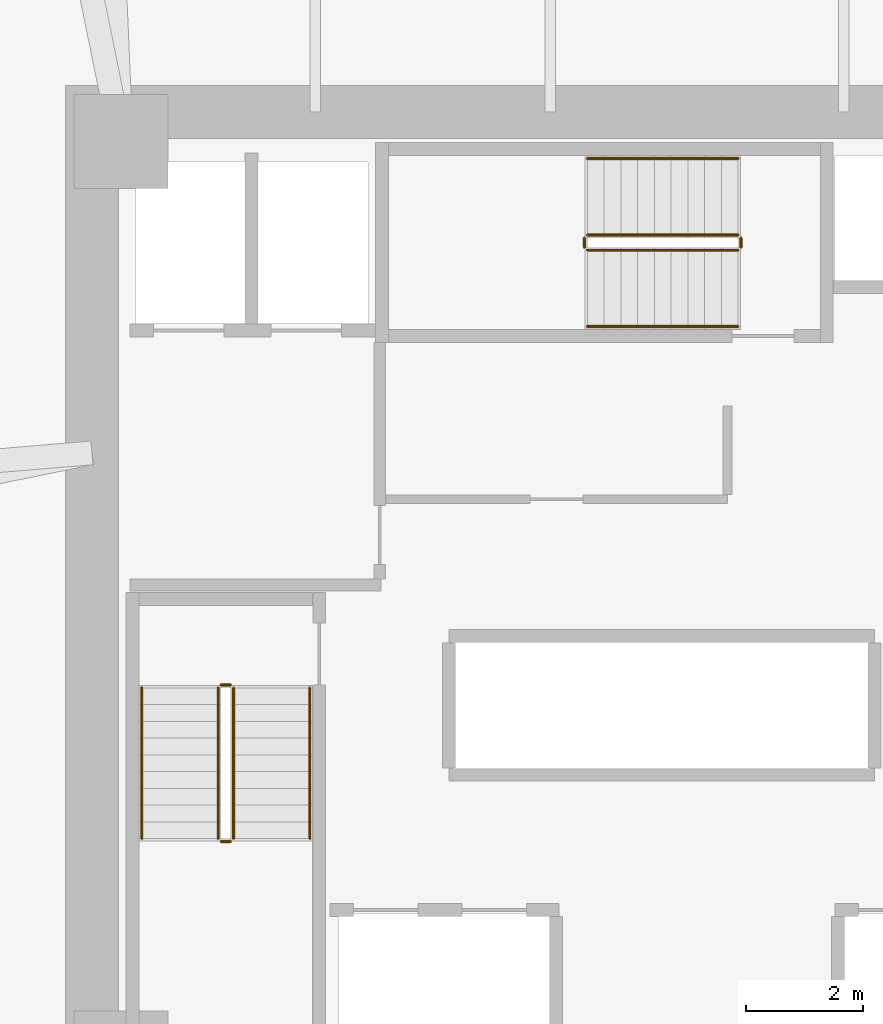
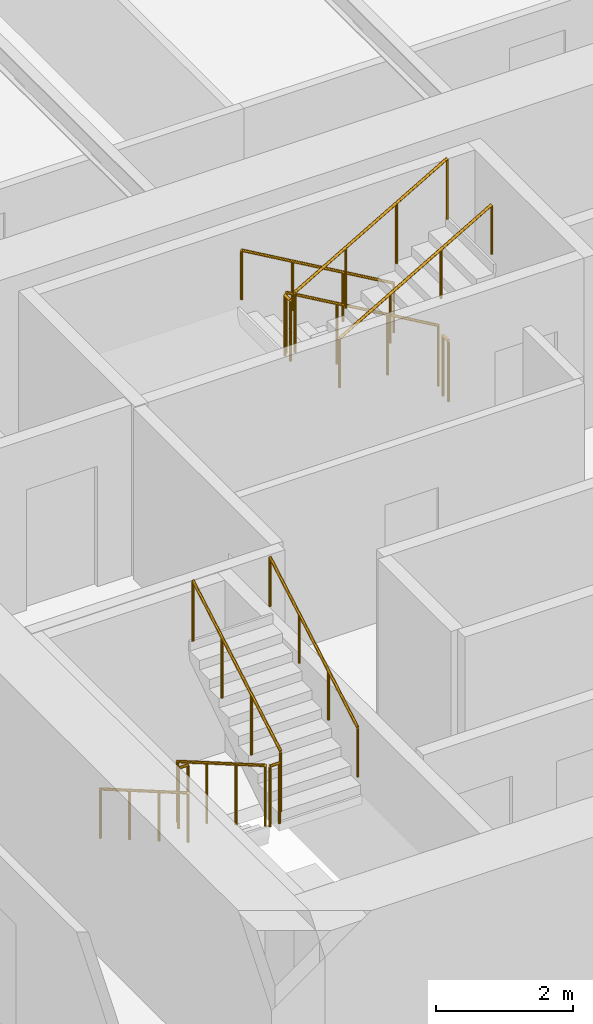
# One storey, part 18 of 20: 12 railings.
"""IFC4 building model written with IfcOpenShell, lengths in metres."""

from ifc_helpers import new_model, si_unit, direction, frame, origin, origin_2d, place, context, subcontext, project, spatial, circle, extrude, material, type_object, element, save


model = new_model("IFC4")

# Units and contexts
model_context = context("Model", 3, precision=1e-05, world=origin(), true_north=direction((0.0, 1.0)))
body_context = subcontext(model_context, "Body", "Model", "MODEL_VIEW")
ifc_project = project(units=[si_unit("LENGTHUNIT", "METRE"), si_unit("AREAUNIT", "SQUARE_METRE"), si_unit("VOLUMEUNIT", "CUBIC_METRE"), si_unit("PLANEANGLEUNIT", "RADIAN"), si_unit("MASSUNIT", "GRAM", prefix="KILO")], contexts=[model_context])

# Site, building, storey
site_placement = place(None, origin())
site = spatial("IfcSite", under=ifc_project, at=site_placement, CompositionType="ELEMENT")
building_placement = place(site_placement, origin())
building = spatial("IfcBuilding", under=site, at=building_placement, Name="Durnholm Broadcast Tower", CompositionType="ELEMENT")
storey_placement = place(building_placement, frame((0.0, 0.0, 32.39990234375)))
storey = spatial("IfcBuildingStorey", under=building, at=storey_placement, Name="L06", CompositionType="ELEMENT", Elevation=32.39990234375)

# Railings
ifc_material_1 = material(Name="Painted Tubular Steel Stair Guardrail", Category="steel")
railing_type_1 = type_object("IfcRailingType", Name="RAIL-ST-GRD", PredefinedType="GUARDRAIL", material=ifc_material_1)
railing_1_placement = place(storey_placement, frame((-8.14990234375, -1.5, 0.1650390625)))
element("IfcRailing", 1, at=railing_1_placement, inside=storey, type_object=railing_type_1, Name="L06 ST-1 stair guard 1", PredefinedType="GUARDRAIL", context=body_context, shape_type="SweptSolid", body=[
    extrude(circle(Radius=0.02392578125, at=origin_2d()), frame((0.0, 0.0, 1.076171875), z_axis=(0.0, -0.865405606168, 0.501071987656), x_axis=(1.0, 0.0, 0.0)), (0.0, 0.0, 1.0), 2.9638671875),
    extrude(circle(Radius=0.02099609375, at=origin_2d()), origin(), (0.0, 0.0, 1.0), 1.052001953125),
    extrude(circle(Radius=0.02099609375, at=origin_2d()), frame((0.0, -0.85498046875, 0.4951171875)), (0.0, 0.0, 1.0), 1.052001953125),
    extrude(circle(Radius=0.02099609375, at=origin_2d()), frame((0.0, -1.7099609375, 0.989990234375)), (0.0, 0.0, 1.0), 1.052001953125),
    extrude(circle(Radius=0.02099609375, at=origin_2d()), frame((0.0, -2.56494140625, 1.485107421875)), (0.0, 0.0, 1.0), 1.052001953125),
])
railing_2_placement = place(storey_placement, frame((-8.10009765625, -4.114990234375, 1.650146484375)))
element("IfcRailing", 2, at=railing_2_placement, inside=storey, type_object=railing_type_1, Name="L06 ST-1 stair guard 2", PredefinedType="GUARDRAIL", context=body_context, shape_type="SweptSolid", body=[
    extrude(circle(Radius=0.02392578125, at=origin_2d()), frame((0.0, 0.0, 1.076171875), z_axis=(1.0, 0.0, 0.0), x_axis=(0.0, 1.0, 0.0)), (0.0, 0.0, 1.0), 0.16015625),
    extrude(circle(Radius=0.02099609375, at=origin_2d()), origin(), (0.0, 0.0, 1.0), 1.052001953125),
    extrude(circle(Radius=0.02099609375, at=origin_2d()), frame((0.16015625, 0.0, 0.0)), (0.0, 0.0, 1.0), 1.052001953125),
])
railing_3_placement = place(storey_placement, frame((-7.889892578125, -4.06494140625, 1.815185546875)))
element("IfcRailing", 3, at=railing_3_placement, inside=storey, type_object=railing_type_1, Name="L06 ST-1 stair guard 3", PredefinedType="GUARDRAIL", context=body_context, shape_type="SweptSolid", body=[
    extrude(circle(Radius=0.02392578125, at=origin_2d()), frame((0.0, 0.0, 1.076171875), z_axis=(0.0, 0.865441324677, 0.50101029285), x_axis=(-1.0, 0.0, 0.0)), (0.0, 0.0, 1.0), 2.963623046875),
    extrude(circle(Radius=0.02099609375, at=origin_2d()), origin(), (0.0, 0.0, 1.0), 1.052001953125),
    extrude(circle(Radius=0.02099609375, at=origin_2d()), frame((0.0, 0.85498046875, 0.494873046875)), (0.0, 0.0, 1.0), 1.052001953125),
    extrude(circle(Radius=0.02099609375, at=origin_2d()), frame((0.0, 1.7099609375, 0.989990234375)), (0.0, 0.0, 1.0), 1.052001953125),
    extrude(circle(Radius=0.02099609375, at=origin_2d()), frame((0.0, 2.56494140625, 1.48486328125)), (0.0, 0.0, 1.0), 1.052001953125),
])
railing_4_placement = place(storey_placement, frame((-8.10009765625, -1.449951171875, 0.0)))
element("IfcRailing", 4, at=railing_4_placement, inside=storey, type_object=railing_type_1, Name="L06 ST-1 stair guard 4", PredefinedType="GUARDRAIL", context=body_context, shape_type="SweptSolid", body=[
    extrude(circle(Radius=0.02392578125, at=origin_2d()), frame((0.0, 0.0, 1.076171875), z_axis=(1.0, 0.0, 0.0), x_axis=(0.0, 1.0, 0.0)), (0.0, 0.0, 1.0), 0.16015625),
    extrude(circle(Radius=0.02099609375, at=origin_2d()), origin(), (0.0, 0.0, 1.0), 1.052001953125),
    extrude(circle(Radius=0.02099609375, at=origin_2d()), frame((0.16015625, 0.0, 0.0)), (0.0, 0.0, 1.0), 1.052001953125),
])
railing_5_placement = place(storey_placement, frame((0.699951171875, 6.2099609375, 0.1650390625)))
element("IfcRailing", 5, at=railing_5_placement, inside=storey, type_object=railing_type_1, Name="L06 ST-3 stair guard 1", PredefinedType="GUARDRAIL", context=body_context, shape_type="SweptSolid", body=[
    extrude(circle(Radius=0.02392578125, at=origin_2d()), frame((0.0, 0.0, 1.076171875), z_axis=(-0.865405606168, 0.0, 0.501071987656), x_axis=(0.0, -1.0, 0.0)), (0.0, 0.0, 1.0), 2.9638671875),
    extrude(circle(Radius=0.02099609375, at=origin_2d()), origin(), (0.0, 0.0, 1.0), 1.052001953125),
    extrude(circle(Radius=0.02099609375, at=origin_2d()), frame((-0.85498046875, 0.0, 0.4951171875)), (0.0, 0.0, 1.0), 1.052001953125),
    extrude(circle(Radius=0.02099609375, at=origin_2d()), frame((-1.7099609375, 0.0, 0.989990234375)), (0.0, 0.0, 1.0), 1.052001953125),
    extrude(circle(Radius=0.02099609375, at=origin_2d()), frame((-2.56494140625, 0.0, 1.485107421875)), (0.0, 0.0, 1.0), 1.052001953125),
])
railing_6_placement = place(storey_placement, frame((-1.9150390625, 6.159912109375, 1.650146484375)))
element("IfcRailing", 6, at=railing_6_placement, inside=storey, type_object=railing_type_1, Name="L06 ST-3 stair guard 2", PredefinedType="GUARDRAIL", context=body_context, shape_type="SweptSolid", body=[
    extrude(circle(Radius=0.02392578125, at=origin_2d()), frame((0.0, 0.0, 1.076171875), z_axis=(0.0, -1.0, 0.0), x_axis=(1.0, 0.0, 0.0)), (0.0, 0.0, 1.0), 0.159912109375),
    extrude(circle(Radius=0.02099609375, at=origin_2d()), origin(), (0.0, 0.0, 1.0), 1.052001953125),
    extrude(circle(Radius=0.02099609375, at=origin_2d()), frame((0.0, -0.159912109375, 0.0)), (0.0, 0.0, 1.0), 1.052001953125),
])
railing_7_placement = place(storey_placement, frame((-1.864990234375, 5.949951171875, 1.815185546875)))
element("IfcRailing", 7, at=railing_7_placement, inside=storey, type_object=railing_type_1, Name="L06 ST-3 stair guard 3", PredefinedType="GUARDRAIL", context=body_context, shape_type="SweptSolid", body=[
    extrude(circle(Radius=0.02392578125, at=origin_2d()), frame((0.0, 0.0, 1.076171875), z_axis=(0.865441324677, 0.0, 0.50101029285), x_axis=(0.0, 1.0, 0.0)), (0.0, 0.0, 1.0), 2.963623046875),
    extrude(circle(Radius=0.02099609375, at=origin_2d()), origin(), (0.0, 0.0, 1.0), 1.052001953125),
    extrude(circle(Radius=0.02099609375, at=origin_2d()), frame((0.85498046875, 0.0, 0.494873046875)), (0.0, 0.0, 1.0), 1.052001953125),
    extrude(circle(Radius=0.02099609375, at=origin_2d()), frame((1.7099609375, 0.0, 0.989990234375)), (0.0, 0.0, 1.0), 1.052001953125),
    extrude(circle(Radius=0.02099609375, at=origin_2d()), frame((2.56494140625, 0.0, 1.48486328125)), (0.0, 0.0, 1.0), 1.052001953125),
])
railing_8_placement = place(storey_placement, frame((0.75, 6.159912109375, 0.0)))
element("IfcRailing", 8, at=railing_8_placement, inside=storey, type_object=railing_type_1, Name="L06 ST-3 stair guard 4", PredefinedType="GUARDRAIL", context=body_context, shape_type="SweptSolid", body=[
    extrude(circle(Radius=0.02392578125, at=origin_2d()), frame((0.0, 0.0, 1.076171875), z_axis=(0.0, -1.0, 0.0), x_axis=(1.0, 0.0, 0.0)), (0.0, 0.0, 1.0), 0.159912109375),
    extrude(circle(Radius=0.02099609375, at=origin_2d()), origin(), (0.0, 0.0, 1.0), 1.052001953125),
    extrude(circle(Radius=0.02099609375, at=origin_2d()), frame((0.0, -0.159912109375, 0.0)), (0.0, 0.0, 1.0), 1.052001953125),
])
ifc_material_2 = material(Name="Brushed Stainless Steel Handrail", Category="steel")
railing_type_2 = type_object("IfcRailingType", Name="RAIL-ST-HND", PredefinedType="HANDRAIL", material=ifc_material_2)
railing_9_placement = place(storey_placement, frame((-9.449951171875, -1.5, 0.330078125)))
element("IfcRailing", 9, at=railing_9_placement, inside=storey, type_object=railing_type_2, Name="L06 ST-1 stair handrail 1", PredefinedType="HANDRAIL", context=body_context, shape_type="SweptSolid", body=[
    extrude(circle(Radius=0.02392578125, at=origin_2d()), frame((0.0, 0.0, 0.8759765625), z_axis=(0.0, -0.865405606168, 0.501071987656), x_axis=(1.0, 0.0, 0.0)), (0.0, 0.0, 1.0), 2.9638671875),
    extrude(circle(Radius=0.02099609375, at=origin_2d()), origin(), (0.0, 0.0, 1.0), 0.851806640625),
    extrude(circle(Radius=0.02099609375, at=origin_2d()), frame((0.0, -0.85498046875, 0.4951171875)), (0.0, 0.0, 1.0), 0.851806640625),
    extrude(circle(Radius=0.02099609375, at=origin_2d()), frame((0.0, -1.7099609375, 0.989990234375)), (0.0, 0.0, 1.0), 0.851806640625),
    extrude(circle(Radius=0.02099609375, at=origin_2d()), frame((0.0, -2.56494140625, 1.485107421875)), (0.0, 0.0, 1.0), 0.851806640625),
])
railing_10_placement = place(storey_placement, frame((-6.590087890625, -4.06494140625, 1.97998046875)))
element("IfcRailing", 10, at=railing_10_placement, inside=storey, type_object=railing_type_2, Name="L06 ST-1 stair handrail 2", PredefinedType="HANDRAIL", context=body_context, shape_type="SweptSolid", body=[
    extrude(circle(Radius=0.02392578125, at=origin_2d()), frame((0.0, 0.0, 0.8759765625), z_axis=(0.0, 0.865405606168, 0.501071987656), x_axis=(-1.0, 0.0, 0.0)), (0.0, 0.0, 1.0), 2.9638671875),
    extrude(circle(Radius=0.02099609375, at=origin_2d()), origin(), (0.0, 0.0, 1.0), 0.851806640625),
    extrude(circle(Radius=0.02099609375, at=origin_2d()), frame((0.0, 0.85498046875, 0.4951171875)), (0.0, 0.0, 1.0), 0.851806640625),
    extrude(circle(Radius=0.02099609375, at=origin_2d()), frame((0.0, 1.7099609375, 0.989990234375)), (0.0, 0.0, 1.0), 0.851806640625),
    extrude(circle(Radius=0.02099609375, at=origin_2d()), frame((0.0, 2.56494140625, 1.485107421875)), (0.0, 0.0, 1.0), 0.851806640625),
])
railing_11_placement = place(storey_placement, frame((0.699951171875, 7.510009765625, 0.330078125)))
element("IfcRailing", 11, at=railing_11_placement, inside=storey, type_object=railing_type_2, Name="L06 ST-3 stair handrail 1", PredefinedType="HANDRAIL", context=body_context, shape_type="SweptSolid", body=[
    extrude(circle(Radius=0.02392578125, at=origin_2d()), frame((0.0, 0.0, 0.8759765625), z_axis=(-0.865405606168, 0.0, 0.501071987656), x_axis=(0.0, -1.0, 0.0)), (0.0, 0.0, 1.0), 2.9638671875),
    extrude(circle(Radius=0.02099609375, at=origin_2d()), origin(), (0.0, 0.0, 1.0), 0.851806640625),
    extrude(circle(Radius=0.02099609375, at=origin_2d()), frame((-0.85498046875, 0.0, 0.4951171875)), (0.0, 0.0, 1.0), 0.851806640625),
    extrude(circle(Radius=0.02099609375, at=origin_2d()), frame((-1.7099609375, 0.0, 0.989990234375)), (0.0, 0.0, 1.0), 0.851806640625),
    extrude(circle(Radius=0.02099609375, at=origin_2d()), frame((-2.56494140625, 0.0, 1.485107421875)), (0.0, 0.0, 1.0), 0.851806640625),
])
railing_12_placement = place(storey_placement, frame((-1.864990234375, 4.64990234375, 1.97998046875)))
element("IfcRailing", 12, at=railing_12_placement, inside=storey, type_object=railing_type_2, Name="L06 ST-3 stair handrail 2", PredefinedType="HANDRAIL", context=body_context, shape_type="SweptSolid", body=[
    extrude(circle(Radius=0.02392578125, at=origin_2d()), frame((0.0, 0.0, 0.8759765625), z_axis=(0.865405606168, 0.0, 0.501071987656), x_axis=(0.0, 1.0, 0.0)), (0.0, 0.0, 1.0), 2.9638671875),
    extrude(circle(Radius=0.02099609375, at=origin_2d()), origin(), (0.0, 0.0, 1.0), 0.851806640625),
    extrude(circle(Radius=0.02099609375, at=origin_2d()), frame((0.85498046875, 0.0, 0.4951171875)), (0.0, 0.0, 1.0), 0.851806640625),
    extrude(circle(Radius=0.02099609375, at=origin_2d()), frame((1.7099609375, 0.0, 0.989990234375)), (0.0, 0.0, 1.0), 0.851806640625),
    extrude(circle(Radius=0.02099609375, at=origin_2d()), frame((2.56494140625, 0.0, 1.485107421875)), (0.0, 0.0, 1.0), 0.851806640625),
])

save(model, "model.ifc")
